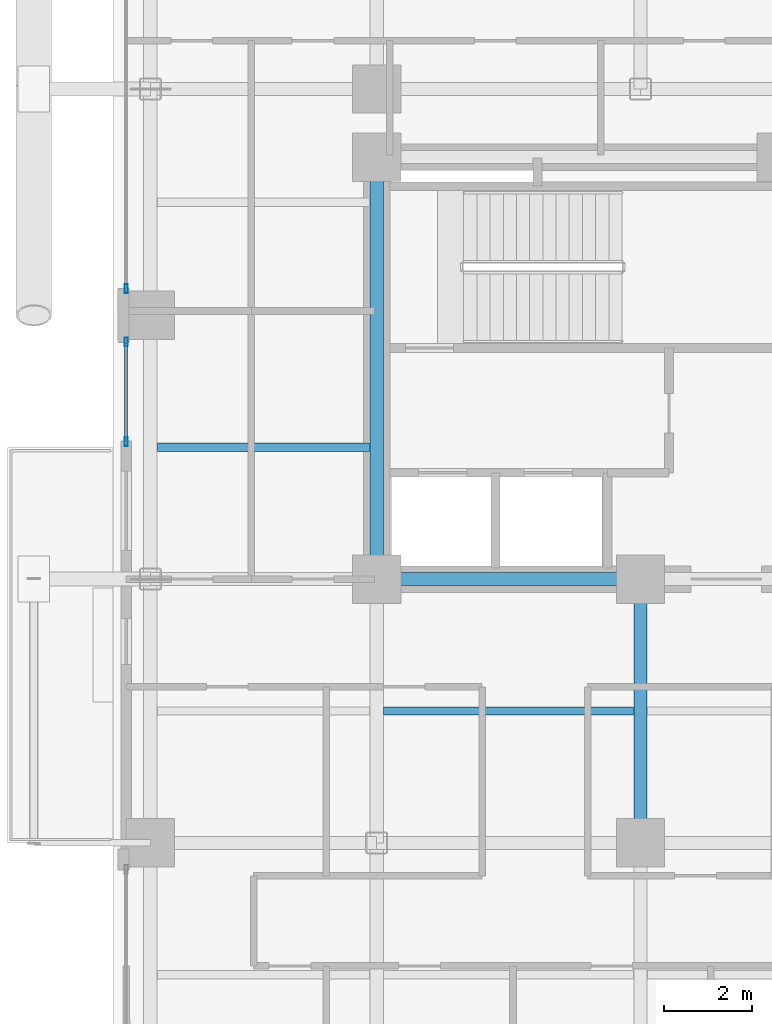
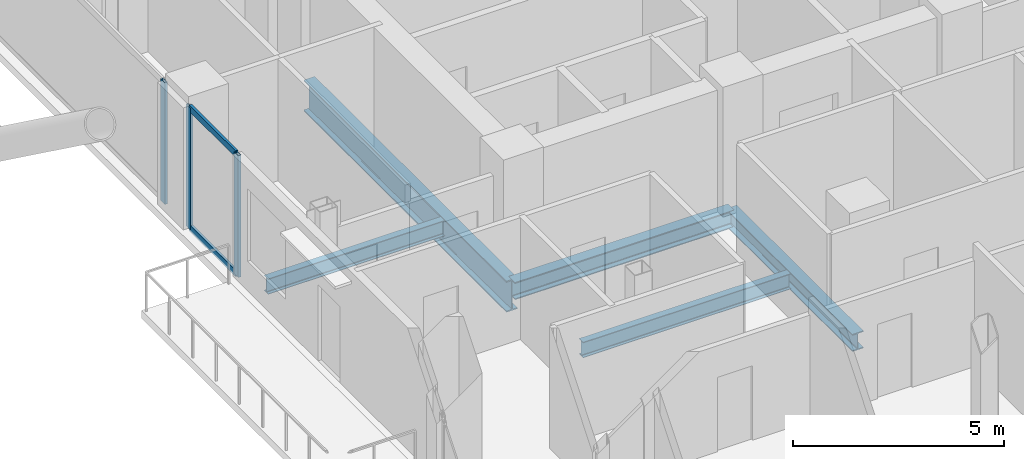
# One storey, part 6 of 24: 5 beams, 5 members, 2 elements without a shape of their own.
"""IFC4 building model written with IfcOpenShell, lengths in metres."""

from ifc_helpers import new_model, si_unit, direction, frame, origin, origin_2d, place, context, subcontext, project, spatial, hollow_rectangle, i_section, extrude, material, layer, layer_set, material_profile, profile_set, type_object, element, aggregate, save


model = new_model("IFC4")

# Units and contexts
model_context = context("Model", 3, precision=1e-05, world=origin(), true_north=direction((0.0, 1.0)))
body_context = subcontext(model_context, "Body", "Model", "MODEL_VIEW")
ifc_project = project(units=[si_unit("LENGTHUNIT", "METRE"), si_unit("AREAUNIT", "SQUARE_METRE"), si_unit("VOLUMEUNIT", "CUBIC_METRE"), si_unit("PLANEANGLEUNIT", "RADIAN"), si_unit("MASSUNIT", "GRAM", prefix="KILO"), si_unit("THERMODYNAMICTEMPERATUREUNIT", "KELVIN"), si_unit("POWERUNIT", "WATT")], contexts=[model_context])

# Site, building, storey
site_placement = place(None, origin())
site = spatial("IfcSite", under=ifc_project, at=site_placement, CompositionType="ELEMENT")
building_placement = place(site_placement, origin())
building = spatial("IfcBuilding", under=site, at=building_placement, Name="Svarakhadi Broadcast Tower", CompositionType="ELEMENT")
storey_placement = place(building_placement, frame((0.0, 0.0, 156.89990234375)))
storey = spatial("IfcBuildingStorey", under=building, at=storey_placement, Name="L38", CompositionType="ELEMENT", Elevation=156.89990234375)

# Beams
ifc_material_1 = material(Name="Steel S355J2 (IS 2062 E350C)", Category="steel")
ifc_material_profile_1 = material_profile(ifc_material_1, i_section(OverallWidth=0.18994140625, OverallDepth=0.449951171875, WebThickness=0.009521484375, FlangeThickness=0.0146484375, FilletRadius=0.02099609375, at=origin_2d()), Name="NPB 450x190x78")
ifc_profile_set_1 = profile_set([ifc_material_profile_1], Name="Steel S355J2 (IS 2062 E350C)")
beam_type_1 = type_object("IfcBeamType", Name="Beam_NPB450", PredefinedType="BEAM", material=ifc_profile_set_1)
beam_1_placement = place(storey_placement, frame((1.010009765625, 21.0, -0.449951171875), z_axis=(1.0, 0.0, 0.0), x_axis=(0.0, 1.0, 0.0)))
element("IfcBeam", 1, at=beam_1_placement, inside=storey, type_object=beam_type_1, Name="L38 Secondary Composite Beam SB003", PredefinedType="BEAM", context=body_context, shape_type="SweptSolid", body=[
    extrude(i_section(OverallWidth=0.18994140625, OverallDepth=0.449951171875, WebThickness=0.009521484375, FlangeThickness=0.0146484375, FilletRadius=0.02099609375, at=origin_2d()), origin(), (0.0, 0.0, 1.0), 4.830078125),
])
beam_2_placement = place(storey_placement, frame((6.159912109375, 15.0, -0.449951171875), z_axis=(1.0, 0.0, 0.0), x_axis=(0.0, 1.0, 0.0)))
element("IfcBeam", 2, at=beam_2_placement, inside=storey, type_object=beam_type_1, Name="L38 Secondary Composite Beam SB008", PredefinedType="BEAM", context=body_context, shape_type="SweptSolid", body=[
    extrude(i_section(OverallWidth=0.18994140625, OverallDepth=0.449951171875, WebThickness=0.009521484375, FlangeThickness=0.0146484375, FilletRadius=0.02099609375, at=origin_2d()), origin(), (0.0, 0.0, 1.0), 5.68017578125),
])

# Curtain wall, members
ifc_material_2 = material(Name="Anodised Bronze Aluminium AA 6063-T6", Category="aluminium")
ifc_layer = layer(ifc_material_2, 0.199951171875)
ifc_layer_set = layer_set([ifc_layer], Name="Anodised Bronze Aluminium AA 6063-T6")
curtain_wall_type = type_object("IfcCurtainWallType", Name="CW_Sys_03", PredefinedType="NOTDEFINED", material=ifc_layer_set)
curtain_wall_1_placement = place(storey_placement, origin())
curtain_wall_1 = element("IfcCurtainWall", 3, at=curtain_wall_1_placement, inside=storey, type_object=curtain_wall_type, Name="L38 West Curtain Wall 03 Bay 1", PredefinedType="NOTDEFINED")
ifc_material_profile_2 = material_profile(ifc_material_2, hollow_rectangle(XDim=0.074951171875, YDim=0.199951171875, WallThickness=0.005615234375, at=origin_2d()), Name="ALU MULLION 200x75x6")
ifc_profile_set_2 = profile_set([ifc_material_profile_2], Name="Anodised Bronze Aluminium AA 6063-T6")
member_type_1 = type_object("IfcMemberType", Name="CW_Sys_03_Mul", PredefinedType="MULLION", material=ifc_profile_set_2)
member_1_placement = place(storey_placement, frame((0.300048828125, 21.12744140625, 0.0), z_axis=(0.0, 0.0, 1.0), x_axis=(-1.0, 0.0, 0.0)))
member_1 = element("IfcMember", 4, at=member_1_placement, type_object=member_type_1, Name="CW-03 mullion 1", PredefinedType="MULLION", context=body_context, shape_type="SweptSolid", body=[
    extrude(hollow_rectangle(XDim=0.074951171875, YDim=0.199951171875, WallThickness=0.005615234375, at=origin_2d()), origin(), (0.0, 0.0, 1.0), 3.525146484375),
])
member_2_placement = place(storey_placement, frame((0.300048828125, 23.392578125, 0.0), z_axis=(0.0, 0.0, 1.0), x_axis=(-1.0, 0.0, 0.0)))
member_2 = element("IfcMember", 5, at=member_2_placement, type_object=member_type_1, Name="CW-03 mullion 2", PredefinedType="MULLION", context=body_context, shape_type="SweptSolid", body=[
    extrude(hollow_rectangle(XDim=0.074951171875, YDim=0.199951171875, WallThickness=0.005615234375, at=origin_2d()), origin(), (0.0, 0.0, 1.0), 3.525146484375),
])

# Curtain wall, member
curtain_wall_2_placement = place(storey_placement, origin())
curtain_wall_2 = element("IfcCurtainWall", 6, at=curtain_wall_2_placement, inside=storey, type_object=curtain_wall_type, Name="L38 West Curtain Wall 03 Bay 2", PredefinedType="NOTDEFINED")
member_3_placement = place(storey_placement, frame((0.300048828125, 24.607421875, 0.0), z_axis=(0.0, 0.0, 1.0), x_axis=(-1.0, 0.0, 0.0)))
member_3 = element("IfcMember", 7, at=member_3_placement, type_object=member_type_1, Name="CW-03 mullion 1", PredefinedType="MULLION", context=body_context, shape_type="SweptSolid", body=[
    extrude(hollow_rectangle(XDim=0.074951171875, YDim=0.199951171875, WallThickness=0.005615234375, at=origin_2d()), origin(), (0.0, 0.0, 1.0), 3.525146484375),
])
aggregate(curtain_wall_2, [member_3])

# Member
ifc_material_profile_3 = material_profile(ifc_material_2, hollow_rectangle(XDim=0.070068359375, YDim=0.18505859375, WallThickness=0.0048828125, at=origin_2d()), Name="ALU TRANSOM 185x70x5")
ifc_profile_set_3 = profile_set([ifc_material_profile_3], Name="Anodised Bronze Aluminium AA 6063-T6")
member_type_2 = type_object("IfcMemberType", Name="CW_Sys_03_Trn", PredefinedType="USERDEFINED", material=ifc_profile_set_3)
member_4_placement = place(storey_placement, frame((0.300048828125, 21.1650390625, 0.03515625), z_axis=(0.0, 1.0, 0.0), x_axis=(-1.0, 0.0, 0.0)))
member_4 = element("IfcMember", 8, at=member_4_placement, type_object=member_type_2, Name="CW-03 transom 1.1", ObjectType="TRANSOM", PredefinedType="USERDEFINED", context=body_context, shape_type="SweptSolid", body=[
    extrude(hollow_rectangle(XDim=0.070068359375, YDim=0.18505859375, WallThickness=0.0048828125, at=origin_2d()), origin(), (0.0, 0.0, 1.0), 2.18994140625),
])

member_5_placement = place(storey_placement, frame((0.300048828125, 21.1650390625, 3.489990234375), z_axis=(0.0, 1.0, 0.0), x_axis=(-1.0, 0.0, 0.0)))
member_5 = element("IfcMember", 9, at=member_5_placement, type_object=member_type_2, Name="CW-03 transom 1.2", ObjectType="TRANSOM", PredefinedType="USERDEFINED", context=body_context, shape_type="SweptSolid", body=[
    extrude(hollow_rectangle(XDim=0.070068359375, YDim=0.18505859375, WallThickness=0.0048828125, at=origin_2d()), origin(), (0.0, 0.0, 1.0), 2.18994140625),
])

aggregate(curtain_wall_1, [member_1, member_2, member_4, member_5])

# Beams
ifc_material_profile_4 = material_profile(ifc_material_1, i_section(OverallWidth=0.300048828125, OverallDepth=0.5, WebThickness=0.014404296875, FlangeThickness=0.028076171875, FilletRadius=0.027099609375, at=origin_2d()), Name="WPB 500x300x187")
ifc_profile_set_4 = profile_set([ifc_material_profile_4], Name="Steel S355J2 (IS 2062 E350C)")
beam_type_2 = type_object("IfcBeamType", Name="Girder_WPB500", PredefinedType="USERDEFINED", material=ifc_profile_set_4)
for number, where, z_axis, x_axis, name in (
    (10, (6.0, 18.0, -0.474853515625), (1.0, 0.0, 0.0), (0.0, 1.0, 0.0), "L38 Primary E-W Girder G024"),
    (11, (12.0, 12.0, -0.474853515625), (0.0, 1.0, 0.0), (-1.0, 0.0, 0.0), "L38 Primary N-S Girder G053"),
):
    element("IfcBeam", number, at=place(storey_placement, frame(where, z_axis=z_axis, x_axis=x_axis)), inside=storey, type_object=beam_type_2, Name=name, ObjectType="GIRDER", PredefinedType="USERDEFINED", context=body_context, shape_type="SweptSolid", body=[
        extrude(i_section(OverallWidth=0.300048828125, OverallDepth=0.5, WebThickness=0.014404296875, FlangeThickness=0.028076171875, FilletRadius=0.027099609375, at=origin_2d()), origin(), (0.0, 0.0, 1.0), 6.0),
    ])
ifc_material_3 = material(Name="Steel S460ML (IS 2062 E450BR)", Category="steel")
ifc_material_profile_5 = material_profile(ifc_material_3, i_section(OverallWidth=0.300048828125, OverallDepth=0.89990234375, WebThickness=0.0185546875, FlangeThickness=0.034912109375, FilletRadius=0.030029296875, at=origin_2d()), Name="WPB 900x300x291")
ifc_profile_set_5 = profile_set([ifc_material_profile_5], Name="Steel S460ML (IS 2062 E450BR)")
beam_type_3 = type_object("IfcBeamType", Name="Girder_WPB900", PredefinedType="USERDEFINED", material=ifc_profile_set_5)
beam_3_placement = place(storey_placement, frame((6.0, 18.0, -0.6748046875), z_axis=(0.0, 1.0, 0.0), x_axis=(-1.0, 0.0, 0.0)))
element("IfcBeam", 12, at=beam_3_placement, inside=storey, type_object=beam_type_3, Name="L38 Primary N-S Girder G048", ObjectType="GIRDER", PredefinedType="USERDEFINED", context=body_context, shape_type="SweptSolid", body=[
    extrude(i_section(OverallWidth=0.300048828125, OverallDepth=0.89990234375, WebThickness=0.0185546875, FlangeThickness=0.034912109375, FilletRadius=0.030029296875, at=origin_2d()), origin(), (0.0, 0.0, 1.0), 9.60009765625),
])

save(model, "model.ifc")
